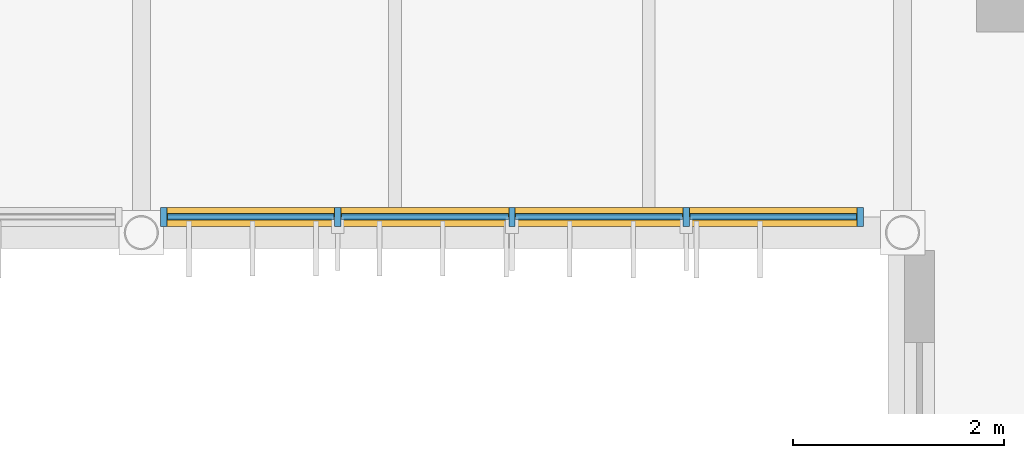
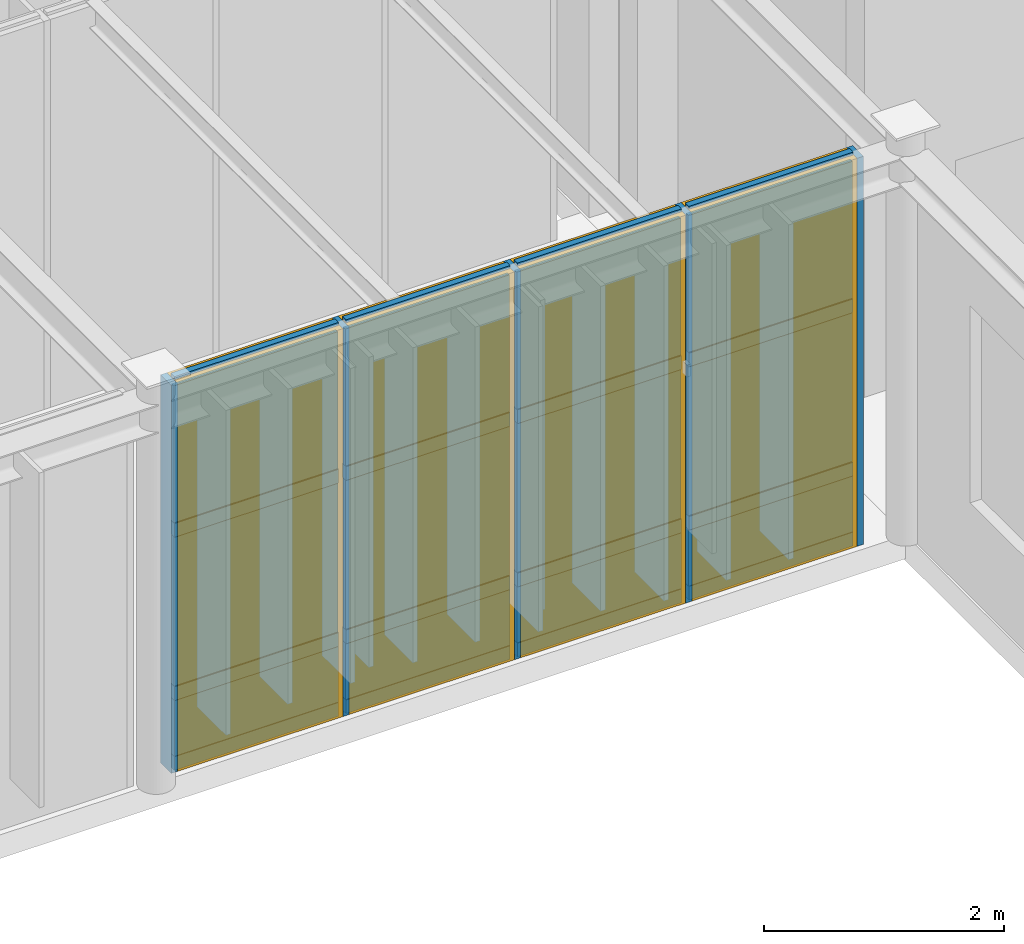
# One storey, part 72 of 104: 21 members, 12 plates, 1 curtain wall.
"""IFC4 building model written with IfcOpenShell, lengths in metres."""

from ifc_helpers import new_model, si_unit, direction, frame, frame_2d, origin, origin_2d, place, context, subcontext, project, spatial, rectangle, extrude, material, layer, layer_set, material_profile, profile_set, type_object, element, aggregate, save


model = new_model("IFC4")

# Units and contexts
model_context = context("Model", 3, precision=1e-05, world=origin(), true_north=direction((0.0, 1.0)))
body_context = subcontext(model_context, "Body", "Model", "MODEL_VIEW")
ifc_project = project(units=[si_unit("LENGTHUNIT", "METRE"), si_unit("AREAUNIT", "SQUARE_METRE"), si_unit("VOLUMEUNIT", "CUBIC_METRE"), si_unit("PLANEANGLEUNIT", "RADIAN"), si_unit("MASSUNIT", "GRAM", prefix="KILO")], contexts=[model_context])

# Member
ifc_material_1 = material(Name="Anodised Bronze Aluminium 6063-T6", Category="aluminium")
ifc_material_profile_1 = material_profile(ifc_material_1, rectangle(XDim=0.06005859375, YDim=0.179931640625, at=origin_2d()), Name="ALU MULLION 60x180")
ifc_profile_set_1 = profile_set([ifc_material_profile_1], Name="Anodised Bronze Aluminium 6063-T6")
member_type_1 = type_object("IfcMemberType", Name="Curtain-Wall Primary Mullion 60x180", PredefinedType="MULLION", material=ifc_profile_set_1)
site_placement = place(None, origin())
building_placement = place(site_placement, origin())
storey_placement = place(building_placement, frame((0.0, 0.0, 9.0)))
member_1_placement = place(storey_placement, frame((50.612060546875, 44.75, 0.0), z_axis=(0.0, 0.0, 1.0), x_axis=(1.0, 0.0, 0.0)))
member_1 = element("IfcMember", 1, at=member_1_placement, type_object=member_type_1, Name="Mullion CWM-01 CW-WLNK-S-L02-B4-M01", PredefinedType="MULLION", context=body_context, shape_type="SweptSolid", body=[
    extrude(rectangle(XDim=0.06005859375, YDim=0.179931640625, at=origin_2d()), origin(), (0.0, 0.0, 1.0), 3.93994140625),
])

member_2_placement = place(storey_placement, frame((52.259033203125, 44.75, 0.0), z_axis=(0.0, 0.0, 1.0), x_axis=(1.0, 0.0, 0.0)))
member_2 = element("IfcMember", 2, at=member_2_placement, type_object=member_type_1, Name="Mullion CWM-01 CW-WLNK-S-L02-B4-M02", PredefinedType="MULLION", context=body_context, shape_type="SweptSolid", body=[
    extrude(rectangle(XDim=0.06005859375, YDim=0.179931640625, at=origin_2d()), origin(), (0.0, 0.0, 1.0), 3.93994140625),
])

member_3_placement = place(storey_placement, frame((53.906005859375, 44.75, 0.0), z_axis=(0.0, 0.0, 1.0), x_axis=(1.0, 0.0, 0.0)))
member_3 = element("IfcMember", 3, at=member_3_placement, type_object=member_type_1, Name="Mullion CWM-01 CW-WLNK-S-L02-B4-M03", PredefinedType="MULLION", context=body_context, shape_type="SweptSolid", body=[
    extrude(rectangle(XDim=0.06005859375, YDim=0.179931640625, at=origin_2d()), origin(), (0.0, 0.0, 1.0), 3.93994140625),
])

member_4_placement = place(storey_placement, frame((55.552978515625, 44.75, 0.0), z_axis=(0.0, 0.0, 1.0), x_axis=(1.0, 0.0, 0.0)))
member_4 = element("IfcMember", 4, at=member_4_placement, type_object=member_type_1, Name="Mullion CWM-01 CW-WLNK-S-L02-B4-M04", PredefinedType="MULLION", context=body_context, shape_type="SweptSolid", body=[
    extrude(rectangle(XDim=0.06005859375, YDim=0.179931640625, at=origin_2d()), origin(), (0.0, 0.0, 1.0), 3.93994140625),
])

member_5_placement = place(storey_placement, frame((57.199951171875, 44.75, 0.0), z_axis=(0.0, 0.0, 1.0), x_axis=(1.0, 0.0, 0.0)))
member_5 = element("IfcMember", 5, at=member_5_placement, type_object=member_type_1, Name="Mullion CWM-01 CW-WLNK-S-L02-B4-M05", PredefinedType="MULLION", context=body_context, shape_type="SweptSolid", body=[
    extrude(rectangle(XDim=0.06005859375, YDim=0.179931640625, at=origin_2d()), origin(), (0.0, 0.0, 1.0), 3.93994140625),
])

ifc_material_profile_2 = material_profile(ifc_material_1, rectangle(XDim=0.06005859375, YDim=0.139892578125, at=origin_2d()), Name="ALU TRANSOM 60x140")
ifc_profile_set_2 = profile_set([ifc_material_profile_2], Name="Anodised Bronze Aluminium 6063-T6")
member_type_2 = type_object("IfcMemberType", Name="Curtain-Wall Transom 60x140", PredefinedType="USERDEFINED", material=ifc_profile_set_2)
member_6_placement = place(storey_placement, frame((50.64697265625, 44.75, 0.0400390625), z_axis=(1.0, 0.0, 0.0), x_axis=(0.0, 1.0, 0.0)))
member_6 = element("IfcMember", 6, at=member_6_placement, type_object=member_type_2, Name="Transom CWT-01 CW-WLNK-S-L02-B4-T01.1", ObjectType="TRANSOM", PredefinedType="USERDEFINED", context=body_context, shape_type="SweptSolid", body=[
    extrude(rectangle(XDim=0.06005859375, YDim=0.139892578125, at=origin_2d()), origin(), (0.0, 0.0, 1.0), 1.5771484375),
])

member_7_placement = place(storey_placement, frame((50.64697265625, 44.75, 0.75), z_axis=(1.0, 0.0, 0.0), x_axis=(0.0, 1.0, 0.0)))
member_7 = element("IfcMember", 7, at=member_7_placement, type_object=member_type_2, Name="Transom CWT-01 CW-WLNK-S-L02-B4-T01.2", ObjectType="TRANSOM", PredefinedType="USERDEFINED", context=body_context, shape_type="SweptSolid", body=[
    extrude(rectangle(XDim=0.06005859375, YDim=0.139892578125, at=origin_2d()), origin(), (0.0, 0.0, 1.0), 1.5771484375),
])

member_8_placement = place(storey_placement, frame((50.64697265625, 44.75, 2.40869140625), z_axis=(1.0, 0.0, 0.0), x_axis=(0.0, 1.0, 0.0)))
member_8 = element("IfcMember", 8, at=member_8_placement, type_object=member_type_2, Name="Transom CWT-01 CW-WLNK-S-L02-B4-T01.3", ObjectType="TRANSOM", PredefinedType="USERDEFINED", context=body_context, shape_type="SweptSolid", body=[
    extrude(rectangle(XDim=0.06005859375, YDim=0.139892578125, at=origin_2d()), origin(), (0.0, 0.0, 1.0), 1.5771484375),
])

member_9_placement = place(storey_placement, frame((50.64697265625, 44.75, 3.89990234375), z_axis=(1.0, 0.0, 0.0), x_axis=(0.0, 1.0, 0.0)))
member_9 = element("IfcMember", 9, at=member_9_placement, type_object=member_type_2, Name="Transom CWT-01 CW-WLNK-S-L02-B4-T01.4", ObjectType="TRANSOM", PredefinedType="USERDEFINED", context=body_context, shape_type="SweptSolid", body=[
    extrude(rectangle(XDim=0.06005859375, YDim=0.139892578125, at=origin_2d()), origin(), (0.0, 0.0, 1.0), 1.5771484375),
])

member_10_placement = place(storey_placement, frame((52.2939453125, 44.75, 0.0400390625), z_axis=(1.0, 0.0, 0.0), x_axis=(0.0, 1.0, 0.0)))
member_10 = element("IfcMember", 10, at=member_10_placement, type_object=member_type_2, Name="Transom CWT-01 CW-WLNK-S-L02-B4-T02.1", ObjectType="TRANSOM", PredefinedType="USERDEFINED", context=body_context, shape_type="SweptSolid", body=[
    extrude(rectangle(XDim=0.06005859375, YDim=0.139892578125, at=origin_2d()), origin(), (0.0, 0.0, 1.0), 1.5771484375),
])

member_11_placement = place(storey_placement, frame((52.2939453125, 44.75, 0.75), z_axis=(1.0, 0.0, 0.0), x_axis=(0.0, 1.0, 0.0)))
member_11 = element("IfcMember", 11, at=member_11_placement, type_object=member_type_2, Name="Transom CWT-01 CW-WLNK-S-L02-B4-T02.2", ObjectType="TRANSOM", PredefinedType="USERDEFINED", context=body_context, shape_type="SweptSolid", body=[
    extrude(rectangle(XDim=0.06005859375, YDim=0.139892578125, at=origin_2d()), origin(), (0.0, 0.0, 1.0), 1.5771484375),
])

member_12_placement = place(storey_placement, frame((52.2939453125, 44.75, 2.40869140625), z_axis=(1.0, 0.0, 0.0), x_axis=(0.0, 1.0, 0.0)))
member_12 = element("IfcMember", 12, at=member_12_placement, type_object=member_type_2, Name="Transom CWT-01 CW-WLNK-S-L02-B4-T02.3", ObjectType="TRANSOM", PredefinedType="USERDEFINED", context=body_context, shape_type="SweptSolid", body=[
    extrude(rectangle(XDim=0.06005859375, YDim=0.139892578125, at=origin_2d()), origin(), (0.0, 0.0, 1.0), 1.5771484375),
])

member_13_placement = place(storey_placement, frame((52.2939453125, 44.75, 3.89990234375), z_axis=(1.0, 0.0, 0.0), x_axis=(0.0, 1.0, 0.0)))
member_13 = element("IfcMember", 13, at=member_13_placement, type_object=member_type_2, Name="Transom CWT-01 CW-WLNK-S-L02-B4-T02.4", ObjectType="TRANSOM", PredefinedType="USERDEFINED", context=body_context, shape_type="SweptSolid", body=[
    extrude(rectangle(XDim=0.06005859375, YDim=0.139892578125, at=origin_2d()), origin(), (0.0, 0.0, 1.0), 1.5771484375),
])

member_14_placement = place(storey_placement, frame((53.94091796875, 44.75, 0.0400390625), z_axis=(1.0, 0.0, 0.0), x_axis=(0.0, 1.0, 0.0)))
member_14 = element("IfcMember", 14, at=member_14_placement, type_object=member_type_2, Name="Transom CWT-01 CW-WLNK-S-L02-B4-T03.1", ObjectType="TRANSOM", PredefinedType="USERDEFINED", context=body_context, shape_type="SweptSolid", body=[
    extrude(rectangle(XDim=0.06005859375, YDim=0.139892578125, at=origin_2d()), origin(), (0.0, 0.0, 1.0), 1.5771484375),
])

member_15_placement = place(storey_placement, frame((53.94091796875, 44.75, 0.75), z_axis=(1.0, 0.0, 0.0), x_axis=(0.0, 1.0, 0.0)))
member_15 = element("IfcMember", 15, at=member_15_placement, type_object=member_type_2, Name="Transom CWT-01 CW-WLNK-S-L02-B4-T03.2", ObjectType="TRANSOM", PredefinedType="USERDEFINED", context=body_context, shape_type="SweptSolid", body=[
    extrude(rectangle(XDim=0.06005859375, YDim=0.139892578125, at=origin_2d()), origin(), (0.0, 0.0, 1.0), 1.5771484375),
])

member_16_placement = place(storey_placement, frame((53.94091796875, 44.75, 2.40869140625), z_axis=(1.0, 0.0, 0.0), x_axis=(0.0, 1.0, 0.0)))
member_16 = element("IfcMember", 16, at=member_16_placement, type_object=member_type_2, Name="Transom CWT-01 CW-WLNK-S-L02-B4-T03.3", ObjectType="TRANSOM", PredefinedType="USERDEFINED", context=body_context, shape_type="SweptSolid", body=[
    extrude(rectangle(XDim=0.06005859375, YDim=0.139892578125, at=origin_2d()), origin(), (0.0, 0.0, 1.0), 1.5771484375),
])

member_17_placement = place(storey_placement, frame((53.94091796875, 44.75, 3.89990234375), z_axis=(1.0, 0.0, 0.0), x_axis=(0.0, 1.0, 0.0)))
member_17 = element("IfcMember", 17, at=member_17_placement, type_object=member_type_2, Name="Transom CWT-01 CW-WLNK-S-L02-B4-T03.4", ObjectType="TRANSOM", PredefinedType="USERDEFINED", context=body_context, shape_type="SweptSolid", body=[
    extrude(rectangle(XDim=0.06005859375, YDim=0.139892578125, at=origin_2d()), origin(), (0.0, 0.0, 1.0), 1.5771484375),
])

member_18_placement = place(storey_placement, frame((55.587890625, 44.75, 0.0400390625), z_axis=(1.0, 0.0, 0.0), x_axis=(0.0, 1.0, 0.0)))
member_18 = element("IfcMember", 18, at=member_18_placement, type_object=member_type_2, Name="Transom CWT-01 CW-WLNK-S-L02-B4-T04.1", ObjectType="TRANSOM", PredefinedType="USERDEFINED", context=body_context, shape_type="SweptSolid", body=[
    extrude(rectangle(XDim=0.06005859375, YDim=0.139892578125, at=origin_2d()), origin(), (0.0, 0.0, 1.0), 1.5771484375),
])

member_19_placement = place(storey_placement, frame((55.587890625, 44.75, 0.75), z_axis=(1.0, 0.0, 0.0), x_axis=(0.0, 1.0, 0.0)))
member_19 = element("IfcMember", 19, at=member_19_placement, type_object=member_type_2, Name="Transom CWT-01 CW-WLNK-S-L02-B4-T04.2", ObjectType="TRANSOM", PredefinedType="USERDEFINED", context=body_context, shape_type="SweptSolid", body=[
    extrude(rectangle(XDim=0.06005859375, YDim=0.139892578125, at=origin_2d()), origin(), (0.0, 0.0, 1.0), 1.5771484375),
])

member_20_placement = place(storey_placement, frame((55.587890625, 44.75, 2.40869140625), z_axis=(1.0, 0.0, 0.0), x_axis=(0.0, 1.0, 0.0)))
member_20 = element("IfcMember", 20, at=member_20_placement, type_object=member_type_2, Name="Transom CWT-01 CW-WLNK-S-L02-B4-T04.3", ObjectType="TRANSOM", PredefinedType="USERDEFINED", context=body_context, shape_type="SweptSolid", body=[
    extrude(rectangle(XDim=0.06005859375, YDim=0.139892578125, at=origin_2d()), origin(), (0.0, 0.0, 1.0), 1.5771484375),
])

member_21_placement = place(storey_placement, frame((55.587890625, 44.75, 3.89990234375), z_axis=(1.0, 0.0, 0.0), x_axis=(0.0, 1.0, 0.0)))
member_21 = element("IfcMember", 21, at=member_21_placement, type_object=member_type_2, Name="Transom CWT-01 CW-WLNK-S-L02-B4-T04.4", ObjectType="TRANSOM", PredefinedType="USERDEFINED", context=body_context, shape_type="SweptSolid", body=[
    extrude(rectangle(XDim=0.06005859375, YDim=0.139892578125, at=origin_2d()), origin(), (0.0, 0.0, 1.0), 1.5771484375),
])

# Plate
ifc_material_2 = material(Name="Insulated Bronze Aluminium Spandrel Panel", Category="aluminium")
ifc_layer_1 = layer(ifc_material_2, 0.050048828125, Name="Insulated Bronze Aluminium Spandrel Panel")
ifc_layer_set_1 = layer_set([ifc_layer_1], Name="Insulated Bronze Aluminium Spandrel Panel")
plate_type_1 = type_object("IfcPlateType", Name="Insulated Anodised Aluminium Spandrel Cassette 50", PredefinedType="CURTAIN_PANEL", material=ifc_layer_set_1)
plate_1_placement = place(storey_placement, frame((51.435546875, 44.75, 0.070068359375), z_axis=(0.0, 0.0, 1.0), x_axis=(1.0, 0.0, 0.0)))
plate_1 = element("IfcPlate", 22, at=plate_1_placement, type_object=plate_type_1, Name="Curtain Panel CWP-03 CW-WLNK-S-L02-B4-P01.1", PredefinedType="CURTAIN_PANEL", context=body_context, shape_type="SweptSolid", body=[
    extrude(rectangle(XDim=1.576904296875, YDim=0.050048828125, at=origin_2d()), origin(), (0.0, 0.0, 1.0), 0.64990234375),
])

plate_2_placement = place(storey_placement, frame((53.08251953125, 44.75, 0.070068359375), z_axis=(0.0, 0.0, 1.0), x_axis=(1.0, 0.0, 0.0)))
plate_2 = element("IfcPlate", 23, at=plate_2_placement, type_object=plate_type_1, Name="Curtain Panel CWP-03 CW-WLNK-S-L02-B4-P02.1", PredefinedType="CURTAIN_PANEL", context=body_context, shape_type="SweptSolid", body=[
    extrude(rectangle(XDim=1.576904296875, YDim=0.050048828125, at=origin_2d()), origin(), (0.0, 0.0, 1.0), 0.64990234375),
])

plate_3_placement = place(storey_placement, frame((54.7294921875, 44.75, 0.070068359375), z_axis=(0.0, 0.0, 1.0), x_axis=(1.0, 0.0, 0.0)))
plate_3 = element("IfcPlate", 24, at=plate_3_placement, type_object=plate_type_1, Name="Curtain Panel CWP-03 CW-WLNK-S-L02-B4-P03.1", PredefinedType="CURTAIN_PANEL", context=body_context, shape_type="SweptSolid", body=[
    extrude(rectangle(XDim=1.576904296875, YDim=0.050048828125, at=origin_2d()), origin(), (0.0, 0.0, 1.0), 0.64990234375),
])

plate_4_placement = place(storey_placement, frame((56.37646484375, 44.75, 0.070068359375), z_axis=(0.0, 0.0, 1.0), x_axis=(1.0, 0.0, 0.0)))
plate_4 = element("IfcPlate", 25, at=plate_4_placement, type_object=plate_type_1, Name="Curtain Panel CWP-03 CW-WLNK-S-L02-B4-P04.1", PredefinedType="CURTAIN_PANEL", context=body_context, shape_type="SweptSolid", body=[
    extrude(rectangle(XDim=1.576904296875, YDim=0.050048828125, at=origin_2d()), origin(), (0.0, 0.0, 1.0), 0.64990234375),
])

ifc_material_3 = material(Name="Solar-Control Tempered Double Glazing", Category="glass")
ifc_layer_2 = layer(ifc_material_3, 0.0380859375, Name="Solar-Control Tempered Double Glazing")
ifc_layer_set_2 = layer_set([ifc_layer_2], Name="Solar-Control Tempered Double Glazing")
plate_type_2 = type_object("IfcPlateType", Name="Solar-Control Vision Glazing Unit 38", PredefinedType="CURTAIN_PANEL", material=ifc_layer_set_2)
plate_5_placement = place(storey_placement, frame((51.435546875, 44.75, 0.77978515625), z_axis=(0.0, 0.0, 1.0), x_axis=(1.0, 0.0, 0.0)))
plate_5 = element("IfcPlate", 26, at=plate_5_placement, type_object=plate_type_2, Name="Curtain Panel CWP-02 CW-WLNK-S-L02-B4-P01.2", PredefinedType="CURTAIN_PANEL", context=body_context, shape_type="SweptSolid", body=[
    extrude(rectangle(XDim=1.576904296875, YDim=0.0380859375, at=origin_2d()), origin(), (0.0, 0.0, 1.0), 1.598876953125),
])

plate_6_placement = place(storey_placement, frame((51.435546875, 44.75, 2.438720703125), z_axis=(0.0, 0.0, 1.0), x_axis=(1.0, 0.0, 0.0)))
plate_6 = element("IfcPlate", 27, at=plate_6_placement, type_object=plate_type_2, Name="Curtain Panel CWP-02 CW-WLNK-S-L02-B4-P01.3", PredefinedType="CURTAIN_PANEL", context=body_context, shape_type="SweptSolid", body=[
    extrude(rectangle(XDim=1.576904296875, YDim=0.0380859375, at=origin_2d()), origin(), (0.0, 0.0, 1.0), 1.43115234375),
])

plate_7_placement = place(storey_placement, frame((53.08251953125, 44.75, 0.77978515625), z_axis=(0.0, 0.0, 1.0), x_axis=(1.0, 0.0, 0.0)))
plate_7 = element("IfcPlate", 28, at=plate_7_placement, type_object=plate_type_2, Name="Curtain Panel CWP-02 CW-WLNK-S-L02-B4-P02.2", PredefinedType="CURTAIN_PANEL", context=body_context, shape_type="SweptSolid", body=[
    extrude(rectangle(XDim=1.576904296875, YDim=0.0380859375, at=origin_2d()), origin(), (0.0, 0.0, 1.0), 1.598876953125),
])

plate_8_placement = place(storey_placement, frame((53.08251953125, 44.75, 2.438720703125), z_axis=(0.0, 0.0, 1.0), x_axis=(1.0, 0.0, 0.0)))
plate_8 = element("IfcPlate", 29, at=plate_8_placement, type_object=plate_type_2, Name="Curtain Panel CWP-02 CW-WLNK-S-L02-B4-P02.3", PredefinedType="CURTAIN_PANEL", context=body_context, shape_type="SweptSolid", body=[
    extrude(rectangle(XDim=1.576904296875, YDim=0.0380859375, at=origin_2d()), origin(), (0.0, 0.0, 1.0), 1.43115234375),
])

plate_9_placement = place(storey_placement, frame((54.7294921875, 44.75, 0.77978515625), z_axis=(0.0, 0.0, 1.0), x_axis=(1.0, 0.0, 0.0)))
plate_9 = element("IfcPlate", 30, at=plate_9_placement, type_object=plate_type_2, Name="Curtain Panel CWP-02 CW-WLNK-S-L02-B4-P03.2", PredefinedType="CURTAIN_PANEL", context=body_context, shape_type="SweptSolid", body=[
    extrude(rectangle(XDim=1.576904296875, YDim=0.0380859375, at=origin_2d()), origin(), (0.0, 0.0, 1.0), 1.598876953125),
])

plate_10_placement = place(storey_placement, frame((54.7294921875, 44.75, 2.438720703125), z_axis=(0.0, 0.0, 1.0), x_axis=(1.0, 0.0, 0.0)))
plate_10 = element("IfcPlate", 31, at=plate_10_placement, type_object=plate_type_2, Name="Curtain Panel CWP-02 CW-WLNK-S-L02-B4-P03.3", PredefinedType="CURTAIN_PANEL", context=body_context, shape_type="SweptSolid", body=[
    extrude(rectangle(XDim=1.576904296875, YDim=0.0380859375, at=origin_2d()), origin(), (0.0, 0.0, 1.0), 1.43115234375),
])

plate_11_placement = place(storey_placement, frame((56.37646484375, 44.75, 0.77978515625), z_axis=(0.0, 0.0, 1.0), x_axis=(1.0, 0.0, 0.0)))
plate_11 = element("IfcPlate", 32, at=plate_11_placement, type_object=plate_type_2, Name="Curtain Panel CWP-02 CW-WLNK-S-L02-B4-P04.2", PredefinedType="CURTAIN_PANEL", context=body_context, shape_type="SweptSolid", body=[
    extrude(rectangle(XDim=1.576904296875, YDim=0.0380859375, at=origin_2d()), origin(), (0.0, 0.0, 1.0), 1.598876953125),
])

plate_12_placement = place(storey_placement, frame((56.37646484375, 44.75, 2.438720703125), z_axis=(0.0, 0.0, 1.0), x_axis=(1.0, 0.0, 0.0)))
plate_12 = element("IfcPlate", 33, at=plate_12_placement, type_object=plate_type_2, Name="Curtain Panel CWP-02 CW-WLNK-S-L02-B4-P04.3", PredefinedType="CURTAIN_PANEL", context=body_context, shape_type="SweptSolid", body=[
    extrude(rectangle(XDim=1.576904296875, YDim=0.0380859375, at=origin_2d()), origin(), (0.0, 0.0, 1.0), 1.43115234375),
])

# Site, building, storey
site = spatial("IfcSite", under=ifc_project, at=site_placement, CompositionType="ELEMENT")
building = spatial("IfcBuilding", under=site, at=building_placement, Name="Tazoul Stagehouse", CompositionType="ELEMENT")
storey = spatial("IfcBuildingStorey", under=building, at=storey_placement, Name="L02", CompositionType="ELEMENT", Elevation=9.0)

# Curtain wall
curtain_wall_type = type_object("IfcCurtainWallType", Name="Foyer Clear Solar-Control Curtain Wall", PredefinedType="NOTDEFINED", material=ifc_material_1)
curtain_wall_placement = place(storey_placement, frame((50.612060546875, 44.75, 0.0), z_axis=(0.0, 0.0, 1.0), x_axis=(1.0, 0.0, 0.0)))
curtain_wall = element("IfcCurtainWall", 34, at=curtain_wall_placement, inside=storey, type_object=curtain_wall_type, Name="L02 Curtain Wall CW-02 (CW-WLNK-S-L02-B4)", PredefinedType="NOTDEFINED", context=body_context, shape_type="SweptSolid", body=[
    extrude(rectangle(XDim=6.587890625, YDim=0.179931640625, at=frame_2d((3.2939453125, 0.0))), origin(), (0.0, 0.0, 1.0), 3.93994140625),
])

aggregate(curtain_wall, [member_1, member_2, member_3, member_4, member_5, member_6, member_7, member_8, member_9, plate_1, plate_5, plate_6, member_10, member_11, member_12, member_13, plate_2, plate_7, plate_8, member_14, member_15, member_16, member_17, plate_3, plate_9, plate_10, member_18, member_19, member_20, member_21, plate_4, plate_11, plate_12])

save(model, "model.ifc")
